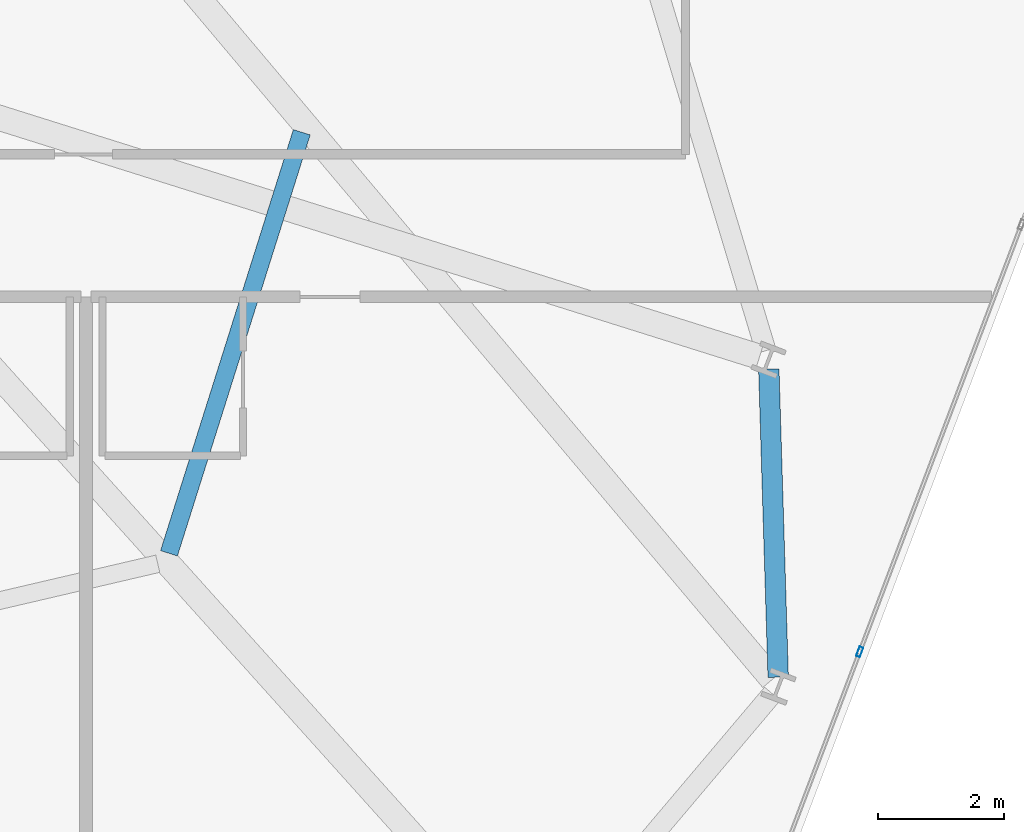
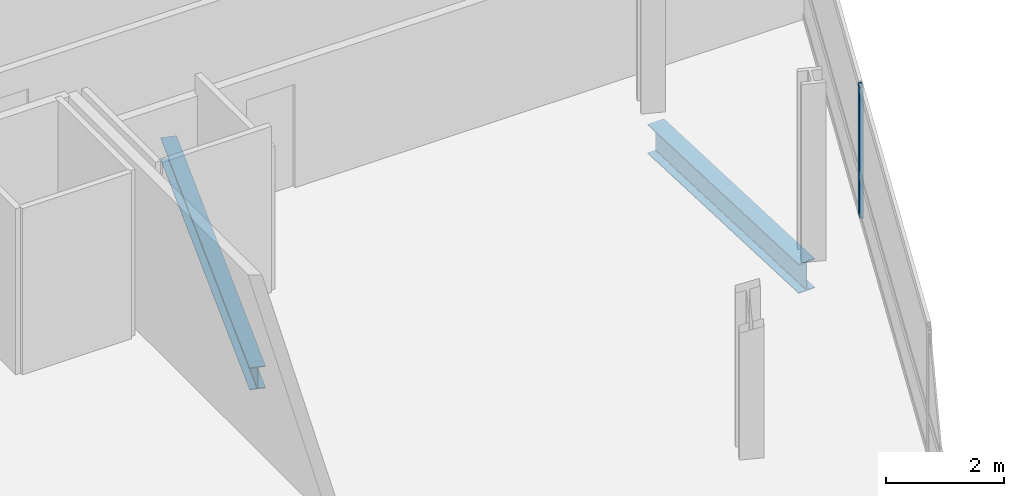
# One storey, part 11 of 26: 2 beams, 1 member, 1 element without a shape of its own.
"""IFC4 building model written with IfcOpenShell, lengths in metres."""

from ifc_helpers import new_model, si_unit, direction, frame, origin, origin_2d, place, context, subcontext, project, spatial, hollow_rectangle, i_section, extrude, material, layer, layer_set, material_profile, profile_set, type_object, element, aggregate, save


model = new_model("IFC4")

# Units and contexts
model_context = context("Model", 3, precision=1e-05, world=origin(), true_north=direction((0.0, 1.0)))
body_context = subcontext(model_context, "Body", "Model", "MODEL_VIEW")
ifc_project = project(units=[si_unit("LENGTHUNIT", "METRE"), si_unit("AREAUNIT", "SQUARE_METRE"), si_unit("VOLUMEUNIT", "CUBIC_METRE"), si_unit("PLANEANGLEUNIT", "RADIAN"), si_unit("MASSUNIT", "GRAM", prefix="KILO")], contexts=[model_context])

# Site, building, storey
site_placement = place(None, origin())
site = spatial("IfcSite", under=ifc_project, at=site_placement, CompositionType="ELEMENT")
building_placement = place(site_placement, origin())
building = spatial("IfcBuilding", under=site, at=building_placement, Name="Varnelok Gate Tower", CompositionType="ELEMENT")
storey_placement = place(building_placement, frame((0.0, 0.0, 109.5)))
storey = spatial("IfcBuildingStorey", under=building, at=storey_placement, Name="L27", CompositionType="ELEMENT", Elevation=109.5)

# Beams
ifc_material_1 = material(Name="Structural Steel ASTM A992 Grade 50", Category="steel")
ifc_material_profile_1 = material_profile(ifc_material_1, i_section(OverallWidth=0.280029296875, OverallDepth=0.462890625, WebThickness=0.0107421875, FlangeThickness=0.017333984375, FilletRadius=0.014892578125, at=origin_2d()), Name="W18X76")
ifc_profile_set_1 = profile_set([ifc_material_profile_1], Name="Structural Steel ASTM A992 Grade 50")
beam_type_1 = type_object("IfcBeamType", Name="BM-JST-W18X76", PredefinedType="JOIST", material=ifc_profile_set_1)
beam_1_placement = place(storey_placement, frame((61.81494140625, 10.285400390625, -0.4814453125), z_axis=(0.300718992384, 0.953712790949, 0.0), x_axis=(-0.953712790949, 0.300718992384, 0.0)))
element("IfcBeam", 1, at=beam_1_placement, inside=storey, type_object=beam_type_1, Name="L27 Sector Floor Joist 6", PredefinedType="JOIST", context=body_context, shape_type="SweptSolid", body=[
    extrude(i_section(OverallWidth=0.280029296875, OverallDepth=0.462890625, WebThickness=0.0107421875, FlangeThickness=0.017333984375, FilletRadius=0.014892578125, at=origin_2d()), origin(), (0.0, 0.0, 1.0), 6.9990234375),
])
ifc_material_profile_2 = material_profile(ifc_material_1, i_section(OverallWidth=0.323974609375, OverallDepth=0.611083984375, WebThickness=0.0126953125, FlangeThickness=0.01904296875, FilletRadius=0.01806640625, at=origin_2d()), Name="W24X104")
ifc_profile_set_2 = profile_set([ifc_material_profile_2], Name="Structural Steel ASTM A992 Grade 50")
beam_type_2 = type_object("IfcBeamType", Name="BM-SPN-W24X104", PredefinedType="SPANDREL", material=ifc_profile_set_2)
beam_2_placement = place(storey_placement, frame((71.471923828125, 8.322509765625, -0.555419921875), z_axis=(-0.030393553869, 0.999538009224, 0.0), x_axis=(-0.999538009224, -0.030393553869, 0.0)))
element("IfcBeam", 2, at=beam_2_placement, inside=storey, type_object=beam_type_2, Name="L27 Perimeter Spandrel Beam 7", PredefinedType="SPANDREL", context=body_context, shape_type="SweptSolid", body=[
    extrude(i_section(OverallWidth=0.323974609375, OverallDepth=0.611083984375, WebThickness=0.0126953125, FlangeThickness=0.01904296875, FilletRadius=0.01806640625, at=origin_2d()), origin(), (0.0, 0.0, 1.0), 4.8837890625),
])

# Curtain wall, member
ifc_material_2 = material(Name="Anodized Aluminum Alloy 6063-T6", Category="aluminium")
ifc_layer = layer(ifc_material_2, 0.179931640625)
ifc_layer_set = layer_set([ifc_layer], Name="Anodized Aluminum Alloy 6063-T6")
curtain_wall_type = type_object("IfcCurtainWallType", Name="CW3-HOTEL-VISION", PredefinedType="USERDEFINED", material=ifc_layer_set)
curtain_wall_placement = place(storey_placement, origin())
curtain_wall = element("IfcCurtainWall", 3, at=curtain_wall_placement, inside=storey, type_object=curtain_wall_type, Name="L27 East End Vision Curtain Wall", ObjectType="UNITISED CURTAIN WALL", PredefinedType="USERDEFINED")
ifc_material_profile_3 = material_profile(ifc_material_2, hollow_rectangle(XDim=0.06494140625, YDim=0.159912109375, WallThickness=0.00390625, at=origin_2d()), Name="ALU160X65X4")
ifc_profile_set_3 = profile_set([ifc_material_profile_3], Name="Anodized Aluminum Alloy 6063-T6")
member_type = type_object("IfcMemberType", Name="CW-MULL-160", PredefinedType="MULLION", material=ifc_profile_set_3)
member_placement = place(storey_placement, frame((72.7646484375, 8.72216796875, 0.0), z_axis=(0.0, 0.0, 1.0), x_axis=(0.935221323688, -0.354063660545, 0.0)))
member = element("IfcMember", 4, at=member_placement, type_object=member_type, Name="CW3 mullion 4", PredefinedType="MULLION", context=body_context, shape_type="SweptSolid", body=[
    extrude(hollow_rectangle(XDim=0.06494140625, YDim=0.159912109375, WallThickness=0.00390625, at=origin_2d()), origin(), (0.0, 0.0, 1.0), 2.72998046875),
])
aggregate(curtain_wall, [member])

save(model, "model.ifc")
